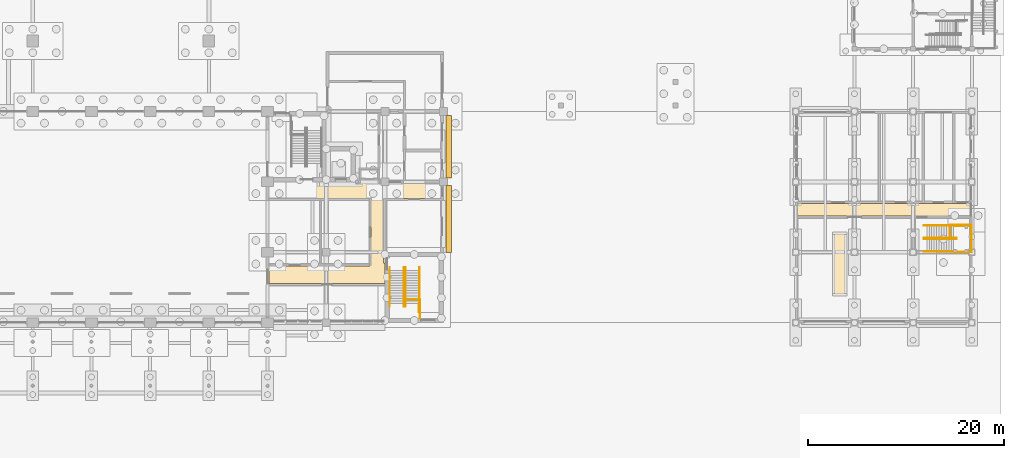
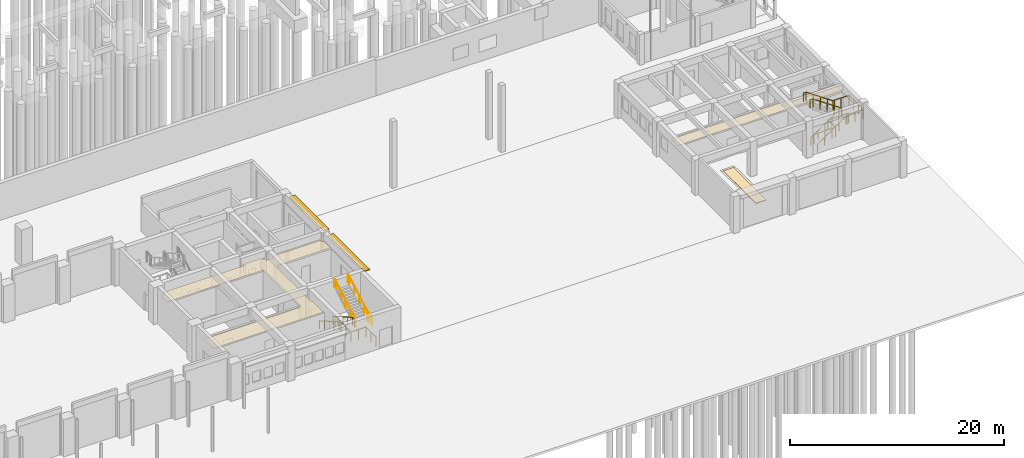
# One storey, part 35 of 37: 13 railings, 3 coverings, 2 shading devices.
"""IFC4 building model written with IfcOpenShell, lengths in metres."""

from ifc_helpers import new_model, si_unit, direction, frame, origin, origin_2d, place, context, subcontext, project, spatial, polyline, rectangle, circle, outline, extrude, material, layer, layer_set, type_object, element, save


model = new_model("IFC4")

# Units and contexts
model_context = context("Model", 3, precision=1e-05, world=origin(), true_north=direction((0.0, 1.0)))
body_context = subcontext(model_context, "Body", "Model", "MODEL_VIEW")
ifc_project = project(units=[si_unit("LENGTHUNIT", "METRE"), si_unit("AREAUNIT", "SQUARE_METRE"), si_unit("VOLUMEUNIT", "CUBIC_METRE"), si_unit("PLANEANGLEUNIT", "RADIAN"), si_unit("MASSUNIT", "GRAM", prefix="KILO")], contexts=[model_context])

# Site, building, storey
site_placement = place(None, origin())
site = spatial("IfcSite", under=ifc_project, at=site_placement, CompositionType="ELEMENT")
building_placement = place(site_placement, origin())
building = spatial("IfcBuilding", under=site, at=building_placement, Name="Laocheng Heights Fire and Rescue Headquarters", CompositionType="ELEMENT")
storey_placement = place(building_placement, origin())
storey = spatial("IfcBuildingStorey", under=building, at=storey_placement, Name="L00", CompositionType="ELEMENT", Elevation=0.0)

# Covering
ifc_material_1 = material(Name="Steel, hot-dip galvanised", Category="steel")
ifc_layer_1 = layer(ifc_material_1, 0.080078125)
ifc_layer_set_1 = layer_set([ifc_layer_1], Name="Steel, hot-dip galvanised")
covering_type_1 = type_object("IfcCoveringType", Name="PIT GRATING GALVANISED STEEL 1000 x 6000", PredefinedType="FLOORING", material=ifc_layer_set_1)
covering_1_placement = place(storey_placement, frame((112.5, 6.0, -0.080078125), z_axis=(0.0, 0.0, 1.0), x_axis=(1.0, 0.0, 0.0)))
element("IfcCovering", 1, at=covering_1_placement, inside=storey, type_object=covering_type_1, Name="Inspection pit grating", PredefinedType="FLOORING", context=body_context, shape_type="SweptSolid", body=[
    extrude(rectangle(XDim=1.10009765625, YDim=6.10009765625, at=origin_2d()), origin(), (0.0, 0.0, 1.0), 0.080078125),
])

# Shading devices
ifc_material_2 = material(Name="Precast concrete C40/50, light warm grey", Category="concrete")
ifc_layer_2 = layer(ifc_material_2, 0.080078125)
ifc_layer_set_2 = layer_set([ifc_layer_2], Name="Precast concrete C40/50, light warm grey")
shading_device_type = type_object("IfcShadingDeviceType", Name="PRECAST BLADE 600 x 80 BLADE E FLANK EAST", PredefinedType="JALOUSIE", material=ifc_layer_set_2)
shading_device_1_placement = place(storey_placement, frame((72.52490234375, 10.60009765625, 3.510009765625), z_axis=(0.0, 0.0, 1.0), x_axis=(1.0, 0.0, 0.0)))
element("IfcShadingDevice", 2, at=shading_device_1_placement, inside=storey, type_object=shading_device_type, Name="BLADE E FLANK EAST L00", PredefinedType="JALOUSIE", context=body_context, shape_type="SweptSolid", body=[
    extrude(rectangle(XDim=0.60009765625, YDim=6.800048828125, at=origin_2d()), origin(), (0.0, 0.0, 1.0), 0.080078125),
])
shading_device_2_placement = place(storey_placement, frame((72.52490234375, 18.0, 3.510009765625), z_axis=(0.0, 0.0, 1.0), x_axis=(1.0, 0.0, 0.0)))
element("IfcShadingDevice", 3, at=shading_device_2_placement, inside=storey, type_object=shading_device_type, Name="BLADE E FLANK EAST L00", PredefinedType="JALOUSIE", context=body_context, shape_type="SweptSolid", body=[
    extrude(rectangle(XDim=0.60009765625, YDim=6.39990234375, at=origin_2d()), origin(), (0.0, 0.0, 1.0), 0.080078125),
])

# Railings
ifc_material_3 = material(Name="Steel Q355B", Category="steel")
railing_type_1 = type_object("IfcRailingType", Name="STAIR GUARD 1100", PredefinedType="GUARDRAIL", material=ifc_material_3)
railing_1_placement = place(storey_placement, frame((69.60498046875, 0.469970703125, 0.0)))
element("IfcRailing", 4, at=railing_1_placement, inside=storey, type_object=railing_type_1, Name="Stair E2 guard L00 under the half landing", PredefinedType="GUARDRAIL", context=body_context, shape_type="SweptSolid", body=[
    extrude(circle(Radius=0.02392578125, at=origin_2d()), frame((0.0, 0.0, 1.076171875), z_axis=(0.0, 1.0, 0.0), x_axis=(-1.0, 0.0, 0.0)), (0.0, 0.0, 1.0), 1.900146484375),
    extrude(circle(Radius=0.02392578125, at=origin_2d()), frame((0.0, 1.900146484375, 1.076171875), z_axis=(-1.0, 0.0, 0.0), x_axis=(0.0, -1.0, 0.0)), (0.0, 0.0, 1.0), 1.580078125),
    extrude(circle(Radius=0.02392578125, at=origin_2d()), frame((-1.580078125, 1.900146484375, 1.076171875), z_axis=(0.0, 1.0, 0.0), x_axis=(-1.0, 0.0, 0.0)), (0.0, 0.0, 1.0), 2.8798828125),
    extrude(circle(Radius=0.02099609375, at=origin_2d()), origin(), (0.0, 0.0, 1.0), 1.052001953125),
    extrude(circle(Radius=0.02099609375, at=origin_2d()), frame((0.0, 0.9501953125, 0.0)), (0.0, 0.0, 1.0), 1.052001953125),
    extrude(circle(Radius=0.02099609375, at=origin_2d()), frame((0.0, 1.900146484375, 0.0)), (0.0, 0.0, 1.0), 1.052001953125),
    extrude(circle(Radius=0.02099609375, at=origin_2d()), frame((-0.7900390625, 1.900146484375, 0.0)), (0.0, 0.0, 1.0), 1.052001953125),
    extrude(circle(Radius=0.02099609375, at=origin_2d()), frame((-1.580078125, 1.900146484375, 0.0)), (0.0, 0.0, 1.0), 1.052001953125),
    extrude(circle(Radius=0.02099609375, at=origin_2d()), frame((-1.580078125, 2.860107421875, 0.0)), (0.0, 0.0, 1.0), 1.052001953125),
    extrude(circle(Radius=0.02099609375, at=origin_2d()), frame((-1.580078125, 3.820068359375, 0.0)), (0.0, 0.0, 1.0), 1.052001953125),
    extrude(circle(Radius=0.02099609375, at=origin_2d()), frame((-1.580078125, 4.780029296875, 0.0)), (0.0, 0.0, 1.0), 1.052001953125),
])
railing_2_placement = place(storey_placement, frame((69.4951171875, 1.070068359375, 2.10009765625)))
element("IfcRailing", 5, at=railing_2_placement, inside=storey, type_object=railing_type_1, Name="Stair E2 guard L00 half landing", PredefinedType="GUARDRAIL", context=body_context, shape_type="SweptSolid", body=[
    extrude(circle(Radius=0.02392578125, at=origin_2d()), frame((0.0, 0.0, 1.076171875), z_axis=(0.0, 1.0, 0.0), x_axis=(-1.0, 0.0, 0.0)), (0.0, 0.0, 1.0), 0.800048828125),
    extrude(circle(Radius=0.02099609375, at=origin_2d()), origin(), (0.0, 0.0, 1.0), 1.052001953125),
    extrude(circle(Radius=0.02099609375, at=origin_2d()), frame((0.0, 0.800048828125, 0.0)), (0.0, 0.0, 1.0), 1.052001953125),
])
railing_3_placement = place(storey_placement, frame((125.97998046875, 9.97998046875, 0.0)))
element("IfcRailing", 6, at=railing_3_placement, inside=storey, type_object=railing_type_1, Name="Stair W3 guard L00 under the half landing", PredefinedType="GUARDRAIL", context=body_context, shape_type="SweptSolid", body=[
    extrude(circle(Radius=0.02392578125, at=origin_2d()), frame((0.0, 0.0, 1.076171875), z_axis=(-1.0, 0.0, 0.0), x_axis=(0.0, -1.0, 0.0)), (0.0, 0.0, 1.0), 2.191650390625),
    extrude(circle(Radius=0.02392578125, at=origin_2d()), frame((-2.191650390625, 0.0, 1.076171875), z_axis=(0.0, -1.0, 0.0), x_axis=(1.0, 0.0, 0.0)), (0.0, 0.0, 1.0), 1.3798828125),
    extrude(circle(Radius=0.02392578125, at=origin_2d()), frame((-2.191650390625, -1.3798828125, 1.076171875), z_axis=(-1.0, 0.0, 0.0), x_axis=(0.0, -1.0, 0.0)), (0.0, 0.0, 1.0), 2.288330078125),
    extrude(circle(Radius=0.02099609375, at=origin_2d()), origin(), (0.0, 0.0, 1.0), 1.052001953125),
    extrude(circle(Radius=0.02099609375, at=origin_2d()), frame((-1.095703125, 0.0, 0.0)), (0.0, 0.0, 1.0), 1.052001953125),
    extrude(circle(Radius=0.02099609375, at=origin_2d()), frame((-2.191650390625, 0.0, 0.0)), (0.0, 0.0, 1.0), 1.052001953125),
    extrude(circle(Radius=0.02099609375, at=origin_2d()), frame((-2.191650390625, -0.68994140625, 0.0)), (0.0, 0.0, 1.0), 1.052001953125),
    extrude(circle(Radius=0.02099609375, at=origin_2d()), frame((-2.191650390625, -1.3798828125, 0.0)), (0.0, 0.0, 1.0), 1.052001953125),
    extrude(circle(Radius=0.02099609375, at=origin_2d()), frame((-3.3359375, -1.3798828125, 0.0)), (0.0, 0.0, 1.0), 1.052001953125),
    extrude(circle(Radius=0.02099609375, at=origin_2d()), frame((-4.47998046875, -1.3798828125, 0.0)), (0.0, 0.0, 1.0), 1.052001953125),
])
railing_4_placement = place(storey_placement, frame((125.97998046875, 9.8701171875, 2.10009765625)))
element("IfcRailing", 7, at=railing_4_placement, inside=storey, type_object=railing_type_1, Name="Stair W3 guard L00 half landing", PredefinedType="GUARDRAIL", context=body_context, shape_type="SweptSolid", body=[
    extrude(circle(Radius=0.02392578125, at=origin_2d()), frame((0.0, 0.0, 1.076171875), z_axis=(-1.0, 0.0, 0.0), x_axis=(0.0, -1.0, 0.0)), (0.0, 0.0, 1.0), 1.72998046875),
    extrude(circle(Radius=0.02099609375, at=origin_2d()), origin(), (0.0, 0.0, 1.0), 1.052001953125),
    extrude(circle(Radius=0.02099609375, at=origin_2d()), frame((-0.864990234375, 0.0, 0.0)), (0.0, 0.0, 1.0), 1.052001953125),
    extrude(circle(Radius=0.02099609375, at=origin_2d()), frame((-1.72998046875, 0.0, 0.0)), (0.0, 0.0, 1.0), 1.052001953125),
])
railing_5_placement = place(storey_placement, frame((124.25, 7.219970703125, 2.10009765625)))
element("IfcRailing", 8, at=railing_5_placement, inside=storey, type_object=railing_type_1, Name="Stair W3 guard L00 half landing wall side", PredefinedType="GUARDRAIL", context=body_context, shape_type="SweptSolid", body=[
    extrude(circle(Radius=0.02392578125, at=origin_2d()), frame((0.0, 0.0, 1.076171875), z_axis=(1.0, 0.0, 0.0), x_axis=(0.0, 1.0, 0.0)), (0.0, 0.0, 1.0), 1.72998046875),
    extrude(circle(Radius=0.02392578125, at=origin_2d()), frame((1.72998046875, 0.0, 1.076171875), z_axis=(0.0, 1.0, 0.0), x_axis=(-1.0, 0.0, 0.0)), (0.0, 0.0, 1.0), 2.650146484375),
    extrude(circle(Radius=0.02099609375, at=origin_2d()), origin(), (0.0, 0.0, 1.0), 1.052001953125),
    extrude(circle(Radius=0.02099609375, at=origin_2d()), frame((0.864990234375, 0.0, 0.0)), (0.0, 0.0, 1.0), 1.052001953125),
    extrude(circle(Radius=0.02099609375, at=origin_2d()), frame((1.72998046875, 0.0, 0.0)), (0.0, 0.0, 1.0), 1.052001953125),
    extrude(circle(Radius=0.02099609375, at=origin_2d()), frame((1.72998046875, 0.88330078125, 0.0)), (0.0, 0.0, 1.0), 1.052001953125),
    extrude(circle(Radius=0.02099609375, at=origin_2d()), frame((1.72998046875, 1.766845703125, 0.0)), (0.0, 0.0, 1.0), 1.052001953125),
    extrude(circle(Radius=0.02099609375, at=origin_2d()), frame((1.72998046875, 2.650146484375, 0.0)), (0.0, 0.0, 1.0), 1.052001953125),
])
ifc_material_4 = material(Name="Steel Q355B", Category="steel")
railing_type_2 = type_object("IfcRailingType", Name="STAIR HANDRAIL 920", PredefinedType="HANDRAIL", material=ifc_material_4)
for number, where, name in (
    (9, (66.4951171875, 5.64990234375, 0.0), "Stair E2 handrail L00 1"),
    (10, (67.955078125, 5.64990234375, 0.0), "Stair E2 handrail L00 2"),
):
    element("IfcRailing", number, at=place(storey_placement, frame(where)), inside=storey, type_object=railing_type_2, Name=name, PredefinedType="HANDRAIL", context=body_context, shape_type="SweptSolid", body=[
        extrude(circle(Radius=0.02392578125, at=origin_2d()), frame((0.0, 0.0, 0.89599609375), z_axis=(0.0, -0.868519587458, 0.495654845838), x_axis=(1.0, 0.0, 0.0)), (0.0, 0.0, 1.0), 4.237060546875),
        extrude(circle(Radius=0.02392578125, at=origin_2d()), frame((0.0, -3.679931640625, 2.99609375), z_axis=(0.0, -1.0, 0.0), x_axis=(1.0, 0.0, 0.0)), (0.0, 0.0, 1.0), 0.300048828125),
        extrude(circle(Radius=0.02099609375, at=origin_2d()), origin(), (0.0, 0.0, 1.0), 0.871826171875),
        extrude(circle(Radius=0.02099609375, at=origin_2d()), frame((0.0, -0.919921875, 0.52490234375)), (0.0, 0.0, 1.0), 0.871826171875),
        extrude(circle(Radius=0.02099609375, at=origin_2d()), frame((0.0, -1.83984375, 1.050048828125)), (0.0, 0.0, 1.0), 0.871826171875),
        extrude(circle(Radius=0.02099609375, at=origin_2d()), frame((0.0, -2.760009765625, 1.5751953125)), (0.0, 0.0, 1.0), 0.871826171875),
        extrude(circle(Radius=0.02099609375, at=origin_2d()), frame((0.0, -3.679931640625, 2.10009765625)), (0.0, 0.0, 1.0), 0.871826171875),
        extrude(circle(Radius=0.02099609375, at=origin_2d()), frame((0.0, -3.97998046875, 2.10009765625)), (0.0, 0.0, 1.0), 0.871826171875),
    ])
for number, where, name in (
    (11, (68.094970703125, 1.669921875, 2.10009765625), "Stair E2 handrail L00 3"),
    (12, (69.554931640625, 1.669921875, 2.10009765625), "Stair E2 handrail L00 4"),
):
    element("IfcRailing", number, at=place(storey_placement, frame(where)), inside=storey, type_object=railing_type_2, Name=name, PredefinedType="HANDRAIL", context=body_context, shape_type="SweptSolid", body=[
        extrude(circle(Radius=0.02392578125, at=origin_2d()), frame((0.0, 0.0, 0.89599609375), z_axis=(0.0, 0.868558544855, 0.495586575846), x_axis=(-1.0, 0.0, 0.0)), (0.0, 0.0, 1.0), 4.237060546875),
        extrude(circle(Radius=0.02392578125, at=origin_2d()), frame((0.0, 3.68017578125, 2.99560546875), z_axis=(0.0, 1.0, 0.0), x_axis=(-1.0, 0.0, 0.0)), (0.0, 0.0, 1.0), 0.2998046875),
        extrude(circle(Radius=0.02099609375, at=origin_2d()), origin(), (0.0, 0.0, 1.0), 0.871826171875),
        extrude(circle(Radius=0.02099609375, at=origin_2d()), frame((0.0, 0.919921875, 0.52490234375)), (0.0, 0.0, 1.0), 0.871826171875),
        extrude(circle(Radius=0.02099609375, at=origin_2d()), frame((0.0, 1.840087890625, 1.0498046875)), (0.0, 0.0, 1.0), 0.871826171875),
        extrude(circle(Radius=0.02099609375, at=origin_2d()), frame((0.0, 2.76025390625, 1.574951171875)), (0.0, 0.0, 1.0), 0.871826171875),
        extrude(circle(Radius=0.02099609375, at=origin_2d()), frame((0.0, 3.68017578125, 2.099853515625)), (0.0, 0.0, 1.0), 0.871826171875),
        extrude(circle(Radius=0.02099609375, at=origin_2d()), frame((0.0, 3.97998046875, 2.099853515625)), (0.0, 0.0, 1.0), 0.871826171875),
    ])
for number, where, name in (
    (13, (121.10009765625, 7.27001953125, 0.0), "Stair W3 handrail L00 1"),
    (14, (121.10009765625, 8.530029296875, 0.0), "Stair W3 handrail L00 2"),
):
    element("IfcRailing", number, at=place(storey_placement, frame(where)), inside=storey, type_object=railing_type_2, Name=name, PredefinedType="HANDRAIL", context=body_context, shape_type="SweptSolid", body=[
        extrude(circle(Radius=0.02392578125, at=origin_2d()), frame((0.0, 0.0, 0.89599609375), z_axis=(0.823618472374, 0.0, 0.567144260276), x_axis=(0.0, 1.0, 0.0)), (0.0, 0.0, 1.0), 3.702880859375),
        extrude(circle(Radius=0.02392578125, at=origin_2d()), frame((3.0498046875, 0.0, 2.99609375), z_axis=(1.0, 0.0, 0.0), x_axis=(0.0, 1.0, 0.0)), (0.0, 0.0, 1.0), 0.300048828125),
        extrude(circle(Radius=0.02099609375, at=origin_2d()), origin(), (0.0, 0.0, 1.0), 0.871826171875),
        extrude(circle(Radius=0.02099609375, at=origin_2d()), frame((0.762451171875, 0.0, 0.52490234375)), (0.0, 0.0, 1.0), 0.871826171875),
        extrude(circle(Radius=0.02099609375, at=origin_2d()), frame((1.52490234375, 0.0, 1.050048828125)), (0.0, 0.0, 1.0), 0.871826171875),
        extrude(circle(Radius=0.02099609375, at=origin_2d()), frame((2.287353515625, 0.0, 1.5751953125)), (0.0, 0.0, 1.0), 0.871826171875),
        extrude(circle(Radius=0.02099609375, at=origin_2d()), frame((3.0498046875, 0.0, 2.10009765625)), (0.0, 0.0, 1.0), 0.871826171875),
        extrude(circle(Radius=0.02099609375, at=origin_2d()), frame((3.349853515625, 0.0, 2.10009765625)), (0.0, 0.0, 1.0), 0.871826171875),
    ])
for number, where, name in (
    (15, (124.449951171875, 8.669921875, 2.10009765625), "Stair W3 handrail L00 3"),
    (16, (124.449951171875, 9.929931640625, 2.10009765625), "Stair W3 handrail L00 4"),
):
    element("IfcRailing", number, at=place(storey_placement, frame(where)), inside=storey, type_object=railing_type_2, Name=name, PredefinedType="HANDRAIL", context=body_context, shape_type="SweptSolid", body=[
        extrude(circle(Radius=0.02392578125, at=origin_2d()), frame((0.0, 0.0, 0.89599609375), z_axis=(-0.823670472504, 0.0, 0.567068737213), x_axis=(0.0, -1.0, 0.0)), (0.0, 0.0, 1.0), 3.702880859375),
        extrude(circle(Radius=0.02392578125, at=origin_2d()), frame((-3.050048828125, 0.0, 2.99560546875), z_axis=(-1.0, 0.0, 0.0), x_axis=(0.0, -1.0, 0.0)), (0.0, 0.0, 1.0), 0.2998046875),
        extrude(circle(Radius=0.02099609375, at=origin_2d()), origin(), (0.0, 0.0, 1.0), 0.871826171875),
        extrude(circle(Radius=0.02099609375, at=origin_2d()), frame((-0.762451171875, 0.0, 0.52490234375)), (0.0, 0.0, 1.0), 0.871826171875),
        extrude(circle(Radius=0.02099609375, at=origin_2d()), frame((-1.52490234375, 0.0, 1.0498046875)), (0.0, 0.0, 1.0), 0.871826171875),
        extrude(circle(Radius=0.02099609375, at=origin_2d()), frame((-2.28759765625, 0.0, 1.574951171875)), (0.0, 0.0, 1.0), 0.871826171875),
        extrude(circle(Radius=0.02099609375, at=origin_2d()), frame((-3.050048828125, 0.0, 2.099853515625)), (0.0, 0.0, 1.0), 0.871826171875),
        extrude(circle(Radius=0.02099609375, at=origin_2d()), frame((-3.349853515625, 0.0, 2.099853515625)), (0.0, 0.0, 1.0), 0.871826171875),
    ])

# Coverings
ifc_material_5 = material(Name="Mineral fibre ceiling tile")
ifc_layer_3 = layer(ifc_material_5, 0.0400390625)
ifc_layer_set_3 = layer_set([ifc_layer_3], Name="Mineral fibre ceiling tile")
covering_type_2 = type_object("IfcCoveringType", Name="SUSPENDED CEILING MINERAL FIBRE TILE", PredefinedType="CEILING", material=ifc_layer_set_3)
covering_2_placement = place(storey_placement, frame((0.0, 0.0, 3.0)))
element("IfcCovering", 17, at=covering_2_placement, inside=storey, type_object=covering_type_2, Name="Circulation E flank ceiling", PredefinedType="CEILING", context=body_context, shape_type="SweptSolid", body=[
    extrude(outline(polyline([(54.14990234375, 5.800048828125), (64.5, 5.800048828125), (64.5, 5.89990234375), (64.5, 6.10009765625), (64.60009765625, 6.10009765625), (64.60009765625, 12.39990234375), (64.5, 12.39990234375), (64.5, 12.60009765625), (64.5, 12.719970703125), (54.14990234375, 12.719970703125), (54.14990234375, 13.89990234375), (54.60009765625, 13.89990234375), (54.60009765625, 14.280029296875), (63.39990234375, 14.280029296875), (63.39990234375, 14.39990234375), (63.39990234375, 14.60009765625), (63.52001953125, 14.60009765625), (65.300048828125, 14.60009765625), (65.39990234375, 14.60009765625), (65.39990234375, 14.39990234375), (65.39990234375, 14.280029296875), (65.60009765625, 14.280029296875), (65.60009765625, 14.0), (66.39990234375, 14.0), (66.39990234375, 14.280029296875), (71.60009765625, 14.280029296875), (71.60009765625, 14.0), (71.85009765625, 14.0), (71.85009765625, 12.719970703125), (66.0, 12.719970703125), (66.0, 12.60009765625), (66.0, 12.39990234375), (65.8798828125, 12.39990234375), (65.8798828125, 6.10009765625), (66.0, 6.10009765625), (66.0, 5.89990234375), (66.0, 5.800048828125), (66.0, 5.699951171875), (66.0, 4.0), (54.14990234375, 4.0), (54.14990234375, 5.800048828125)])), origin(), (0.0, 0.0, 1.0), 0.0400390625),
])
covering_3_placement = place(storey_placement, frame((0.0, 0.0, 3.0)))
element("IfcCovering", 18, at=covering_3_placement, inside=storey, type_object=covering_type_2, Name="Circulation ceiling", PredefinedType="CEILING", context=body_context, shape_type="SweptSolid", body=[
    extrude(outline(polyline([(108.14990234375, 10.919921875), (108.14990234375, 12.179931640625), (125.85009765625, 12.179931640625), (125.85009765625, 10.919921875), (108.14990234375, 10.919921875)])), origin(), (0.0, 0.0, 1.0), 0.0400390625),
])

save(model, "model.ifc")
